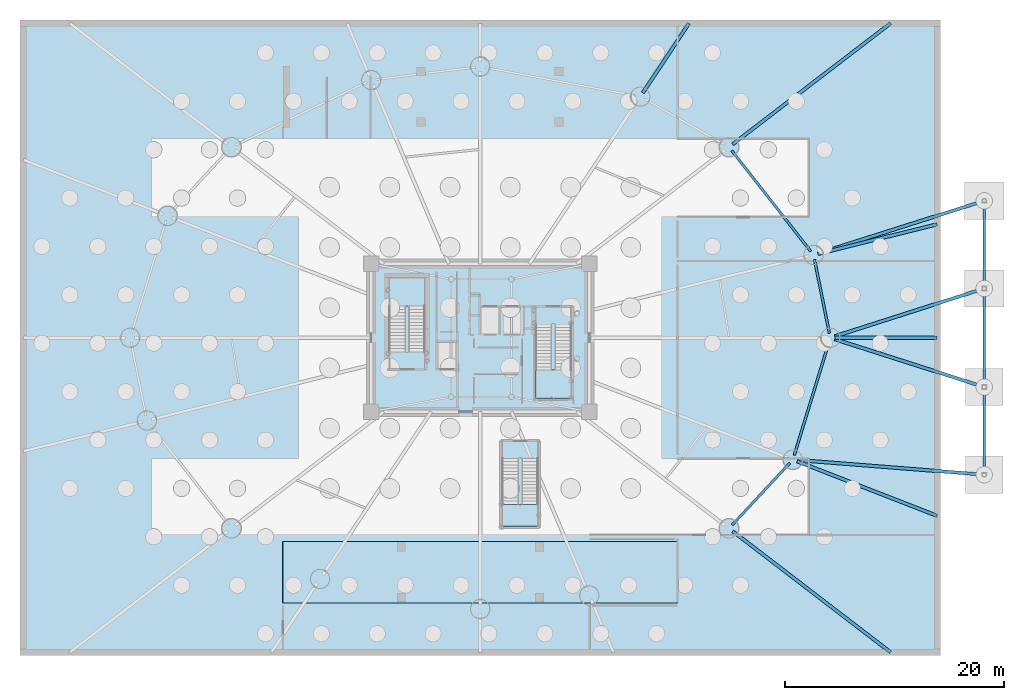
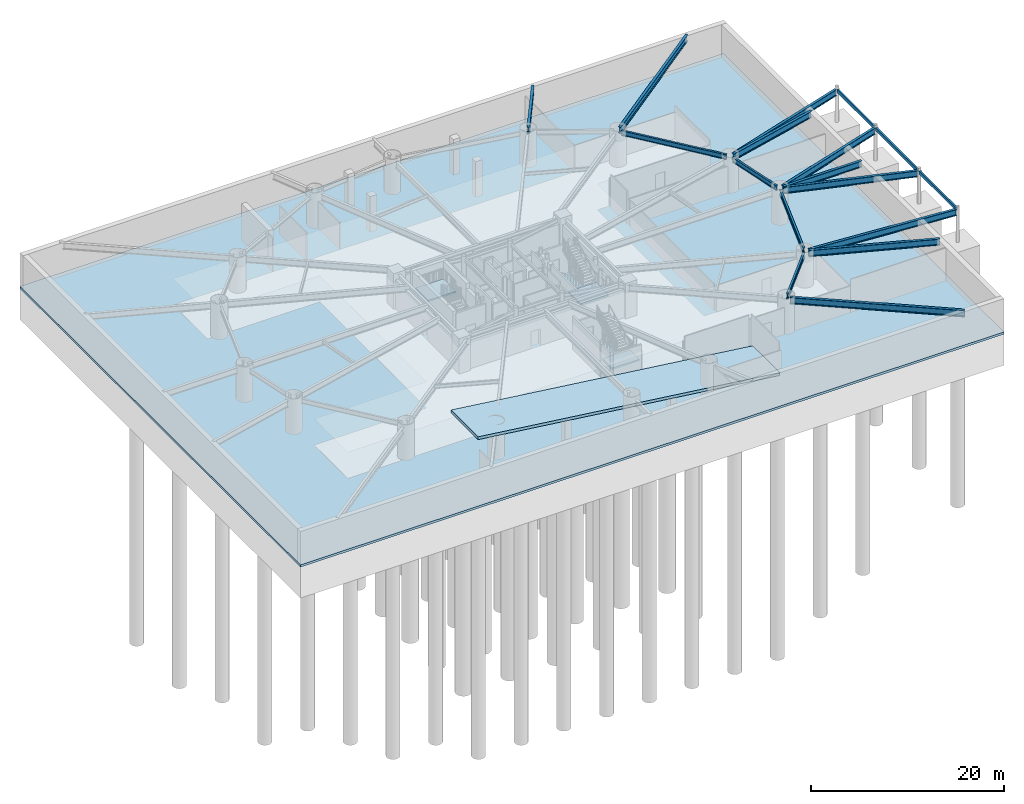
# One storey, part 6 of 18: 17 beams, 5 slabs, 3 elements without a shape of their own.
"""IFC4 building model written with IfcOpenShell, lengths in metres."""

from ifc_helpers import new_model, si_unit, direction, frame, origin, origin_2d, place, context, subcontext, project, spatial, polyline, hollow_rectangle, i_section, outline, extrude, material, layer, layer_set, material_profile, profile_set, type_object, element, aggregate, save


model = new_model("IFC4")

# Units and contexts
model_context = context("Model", 3, precision=1e-05, world=origin(), true_north=direction((0.0, 1.0)))
body_context = subcontext(model_context, "Body", "Model", "MODEL_VIEW")
ifc_project = project(units=[si_unit("LENGTHUNIT", "METRE"), si_unit("AREAUNIT", "SQUARE_METRE"), si_unit("VOLUMEUNIT", "CUBIC_METRE"), si_unit("PLANEANGLEUNIT", "RADIAN"), si_unit("MASSUNIT", "GRAM", prefix="KILO")], contexts=[model_context])

# Site, building, storey
site_placement = place(None, origin())
site = spatial("IfcSite", under=ifc_project, at=site_placement, CompositionType="ELEMENT")
building_placement = place(site_placement, origin())
building = spatial("IfcBuilding", under=site, at=building_placement, Name="Linh Dai School and Residence Tower", CompositionType="ELEMENT")
storey_placement = place(building_placement, frame((0.0, 0.0, -9.0)))
storey = spatial("IfcBuildingStorey", under=building, at=storey_placement, Name="B02", CompositionType="ELEMENT", Elevation=-9.0)

# Beams
ifc_material_1 = material(Name="Structural Steel S355JR", Category="steel")
ifc_material_profile_1 = material_profile(ifc_material_1, hollow_rectangle(XDim=0.199951171875, YDim=0.39990234375, WallThickness=0.012451171875, at=origin_2d()), Name="RHS 400x200x12.5")
ifc_profile_set_1 = profile_set([ifc_material_profile_1], Name="Structural Steel S355JR")
beam_type_1 = type_object("IfcBeamType", Name="BM-BX4", PredefinedType="BEAM", material=ifc_profile_set_1)
beam_1_placement = place(storey_placement, frame((82.0, 14.673095703125, 4.0), z_axis=(0.0, 1.0, 0.0), x_axis=(-1.0, 0.0, 0.0)))
element("IfcBeam", 1, at=beam_1_placement, inside=storey, type_object=beam_type_1, Name="B02 East Arrival Canopy Edge Beam 1", PredefinedType="BEAM", context=body_context, shape_type="SweptSolid", body=[
    extrude(hollow_rectangle(XDim=0.199951171875, YDim=0.39990234375, WallThickness=0.012451171875, at=origin_2d()), origin(), (0.0, 0.0, 1.0), 7.65380859375),
])
beam_2_placement = place(storey_placement, frame((82.0, 22.673095703125, 4.0), z_axis=(0.0, 1.0, 0.0), x_axis=(-1.0, 0.0, 0.0)))
element("IfcBeam", 2, at=beam_2_placement, inside=storey, type_object=beam_type_1, Name="B02 East Arrival Canopy Edge Beam 2", PredefinedType="BEAM", context=body_context, shape_type="SweptSolid", body=[
    extrude(hollow_rectangle(XDim=0.199951171875, YDim=0.39990234375, WallThickness=0.012451171875, at=origin_2d()), origin(), (0.0, 0.0, 1.0), 8.65380859375),
])
beam_3_placement = place(storey_placement, frame((82.0, 31.673095703125, 4.0), z_axis=(0.0, 1.0, 0.0), x_axis=(-1.0, 0.0, 0.0)))
element("IfcBeam", 3, at=beam_3_placement, inside=storey, type_object=beam_type_1, Name="B02 East Arrival Canopy Edge Beam 3", PredefinedType="BEAM", context=body_context, shape_type="SweptSolid", body=[
    extrude(hollow_rectangle(XDim=0.199951171875, YDim=0.39990234375, WallThickness=0.012451171875, at=origin_2d()), origin(), (0.0, 0.0, 1.0), 7.65380859375),
])
ifc_material_profile_2 = material_profile(ifc_material_1, i_section(OverallWidth=0.219970703125, OverallDepth=0.60009765625, WebThickness=0.011962890625, FlangeThickness=0.01904296875, FilletRadius=0.02392578125, at=origin_2d()), Name="IPE 600")
ifc_profile_set_2 = profile_set([ifc_material_profile_2], Name="Structural Steel S355JR")
beam_type_2 = type_object("IfcBeamType", Name="BM-RB60", PredefinedType="BEAM", material=ifc_profile_set_2)
beam_4_placement = place(storey_placement, frame((67.86669921875, 27.41162109375, 3.89990234375), z_axis=(-0.198405440792, 0.980120034008, 0.0), x_axis=(-0.980120034008, -0.198405440792, 0.0)))
element("IfcBeam", 4, at=beam_4_placement, inside=storey, type_object=beam_type_2, Name="B02 Perimeter Elliptical Ring Beam 01", PredefinedType="BEAM", context=body_context, shape_type="SweptSolid", body=[
    extrude(i_section(OverallWidth=0.219970703125, OverallDepth=0.60009765625, WebThickness=0.011962890625, FlangeThickness=0.01904296875, FilletRadius=0.02392578125, at=origin_2d()), origin(), (0.0, 0.0, 1.0), 6.86865234375),
])
beam_5_placement = place(storey_placement, frame((66.161376953125, 34.885986328125, 3.89990234375), z_axis=(-0.616811949607, 0.787110550572, 0.0), x_axis=(-0.787110550572, -0.616811949607, 0.0)))
element("IfcBeam", 5, at=beam_5_placement, inside=storey, type_object=beam_type_2, Name="B02 Perimeter Elliptical Ring Beam 02", PredefinedType="BEAM", context=body_context, shape_type="SweptSolid", body=[
    extrude(i_section(OverallWidth=0.219970703125, OverallDepth=0.60009765625, WebThickness=0.011962890625, FlangeThickness=0.01904296875, FilletRadius=0.02392578125, at=origin_2d()), origin(), (0.0, 0.0, 1.0), 11.668212890625),
])
beam_6_placement = place(storey_placement, frame((58.990966796875, 9.9072265625, 3.89990234375), z_axis=(0.680345653715, 0.73289139132, 0.0), x_axis=(-0.73289139132, 0.680345653715, 0.0)))
element("IfcBeam", 6, at=beam_6_placement, inside=storey, type_object=beam_type_2, Name="B02 Perimeter Elliptical Ring Beam 15", PredefinedType="BEAM", context=body_context, shape_type="SweptSolid", body=[
    extrude(i_section(OverallWidth=0.219970703125, OverallDepth=0.60009765625, WebThickness=0.011962890625, FlangeThickness=0.01904296875, FilletRadius=0.02392578125, at=origin_2d()), origin(), (0.0, 0.0, 1.0), 7.726806640625),
])
beam_7_placement = place(storey_placement, frame((64.656982421875, 16.279541015625, 3.89990234375), z_axis=(0.293626522026, 0.955920219246, 0.0), x_axis=(-0.955920219246, 0.293626522026, 0.0)))
element("IfcBeam", 7, at=beam_7_placement, inside=storey, type_object=beam_type_2, Name="B02 Perimeter Elliptical Ring Beam 16", PredefinedType="BEAM", context=body_context, shape_type="SweptSolid", body=[
    extrude(i_section(OverallWidth=0.219970703125, OverallDepth=0.60009765625, WebThickness=0.011962890625, FlangeThickness=0.01904296875, FilletRadius=0.02392578125, at=origin_2d()), origin(), (0.0, 0.0, 1.0), 10.794921875),
])
ifc_material_profile_3 = material_profile(ifc_material_1, i_section(OverallWidth=0.300048828125, OverallDepth=0.800048828125, WebThickness=0.017578125, FlangeThickness=0.032958984375, FilletRadius=0.030029296875, at=origin_2d()), Name="HEB 800")
ifc_profile_set_3 = profile_set([ifc_material_profile_3], Name="Structural Steel S355JR")
beam_type_3 = type_object("IfcBeamType", Name="BM-RG8", PredefinedType="BEAM", material=ifc_profile_set_3)
beam_8_placement = place(storey_placement, frame((64.952392578125, 15.844970703125, 3.800048828125), z_axis=(0.996902494811, -0.078647414702, 0.0), x_axis=(0.078647414702, 0.996902494811, 0.0)))
element("IfcBeam", 8, at=beam_8_placement, inside=storey, type_object=beam_type_3, Name="B02 East Arrival Tie Girder 1", PredefinedType="BEAM", context=body_context, shape_type="SweptSolid", body=[
    extrude(i_section(OverallWidth=0.300048828125, OverallDepth=0.800048828125, WebThickness=0.017578125, FlangeThickness=0.032958984375, FilletRadius=0.030029296875, at=origin_2d()), origin(), (0.0, 0.0, 1.0), 16.927490234375),
])
for number, where, z_axis, x_axis, name in (
    (9, (68.35009765625, 26.871826171875, 3.800048828125), (0.952343434383, -0.305027839694, 0.0), (0.305027839694, 0.952343434383, 0.0), "B02 East Arrival Tie Girder 2"),
    (10, (68.35009765625, 27.128173828125, 3.800048828125), (0.952343434383, 0.305027839694, 0.0), (-0.305027839694, 0.952343434383, 0.0), "B02 East Arrival Tie Girder 3"),
):
    element("IfcBeam", number, at=place(storey_placement, frame(where, z_axis=z_axis, x_axis=x_axis)), inside=storey, type_object=beam_type_3, Name=name, PredefinedType="BEAM", context=body_context, shape_type="SweptSolid", body=[
        extrude(i_section(OverallWidth=0.300048828125, OverallDepth=0.800048828125, WebThickness=0.017578125, FlangeThickness=0.032958984375, FilletRadius=0.030029296875, at=origin_2d()), origin(), (0.0, 0.0, 1.0), 14.15966796875),
    ])
beam_9_placement = place(storey_placement, frame((66.82080078125, 34.682373046875, 3.800048828125), z_axis=(0.953147393774, 0.30250627389, 0.0), x_axis=(-0.30250627389, 0.953147393774, 0.0)))
element("IfcBeam", 11, at=beam_9_placement, inside=storey, type_object=beam_type_3, Name="B02 East Arrival Tie Girder 4", PredefinedType="BEAM", context=body_context, shape_type="SweptSolid", body=[
    extrude(i_section(OverallWidth=0.300048828125, OverallDepth=0.800048828125, WebThickness=0.017578125, FlangeThickness=0.032958984375, FilletRadius=0.030029296875, at=origin_2d()), origin(), (0.0, 0.0, 1.0), 15.752197265625),
])
beam_10_placement = place(storey_placement, frame((68.3701171875, 27.0, 3.800048828125), z_axis=(1.0, 0.0, 0.0), x_axis=(0.0, 1.0, 0.0)))
element("IfcBeam", 12, at=beam_10_placement, inside=storey, type_object=beam_type_3, Name="B02 Basement Retention Tie Girder 01", PredefinedType="BEAM", context=body_context, shape_type="SweptSolid", body=[
    extrude(i_section(OverallWidth=0.300048828125, OverallDepth=0.800048828125, WebThickness=0.017578125, FlangeThickness=0.032958984375, FilletRadius=0.030029296875, at=origin_2d()), origin(), (0.0, 0.0, 1.0), 9.329833984375),
])
beam_11_placement = place(storey_placement, frame((66.828125, 34.65673828125, 3.800048828125), z_axis=(0.970514416693, 0.241043081193, 0.0), x_axis=(-0.241043081193, 0.970514416693, 0.0)))
element("IfcBeam", 13, at=beam_11_placement, inside=storey, type_object=beam_type_3, Name="B02 Basement Retention Tie Girder 02", PredefinedType="BEAM", context=body_context, shape_type="SweptSolid", body=[
    extrude(i_section(OverallWidth=0.300048828125, OverallDepth=0.800048828125, WebThickness=0.017578125, FlangeThickness=0.032958984375, FilletRadius=0.030029296875, at=origin_2d()), origin(), (0.0, 0.0, 1.0), 11.2021484375),
])
beam_12_placement = place(storey_placement, frame((59.03857421875, 44.656005859375, 3.800048828125), z_axis=(0.793718458888, 0.608285301499, 0.0), x_axis=(-0.608285301499, 0.793718458888, 0.0)))
element("IfcBeam", 14, at=beam_12_placement, inside=storey, type_object=beam_type_3, Name="B02 Basement Retention Tie Girder 03", PredefinedType="BEAM", context=body_context, shape_type="SweptSolid", body=[
    extrude(i_section(OverallWidth=0.300048828125, OverallDepth=0.800048828125, WebThickness=0.017578125, FlangeThickness=0.032958984375, FilletRadius=0.030029296875, at=origin_2d()), origin(), (0.0, 0.0, 1.0), 18.15576171875),
])
beam_13_placement = place(storey_placement, frame((50.841552734375, 49.35498046875, 3.800048828125), z_axis=(0.553101284644, 0.833114019162, 0.0), x_axis=(-0.833114019162, 0.553101284644, 0.0)))
element("IfcBeam", 15, at=beam_13_placement, inside=storey, type_object=beam_type_3, Name="B02 Basement Retention Tie Girder 04", PredefinedType="BEAM", context=body_context, shape_type="SweptSolid", body=[
    extrude(i_section(OverallWidth=0.300048828125, OverallDepth=0.800048828125, WebThickness=0.017578125, FlangeThickness=0.032958984375, FilletRadius=0.030029296875, at=origin_2d()), origin(), (0.0, 0.0, 1.0), 7.615966796875),
])
beam_14_placement = place(storey_placement, frame((59.03857421875, 9.343994140625, 3.800048828125), z_axis=(0.793718458888, -0.608285301499, 0.0), x_axis=(0.608285301499, 0.793718458888, 0.0)))
element("IfcBeam", 16, at=beam_14_placement, inside=storey, type_object=beam_type_3, Name="B02 Basement Retention Tie Girder 15", PredefinedType="BEAM", context=body_context, shape_type="SweptSolid", body=[
    extrude(i_section(OverallWidth=0.300048828125, OverallDepth=0.800048828125, WebThickness=0.017578125, FlangeThickness=0.032958984375, FilletRadius=0.030029296875, at=origin_2d()), origin(), (0.0, 0.0, 1.0), 18.15576171875),
])
beam_15_placement = place(storey_placement, frame((64.925048828125, 15.725341796875, 3.800048828125), z_axis=(0.931721686457, -0.363173097828, 0.0), x_axis=(0.363173097828, 0.931721686457, 0.0)))
element("IfcBeam", 17, at=beam_15_placement, inside=storey, type_object=beam_type_3, Name="B02 Basement Retention Tie Girder 16", PredefinedType="BEAM", context=body_context, shape_type="SweptSolid", body=[
    extrude(i_section(OverallWidth=0.300048828125, OverallDepth=0.800048828125, WebThickness=0.017578125, FlangeThickness=0.032958984375, FilletRadius=0.030029296875, at=origin_2d()), origin(), (0.0, 0.0, 1.0), 13.711181640625),
])

# Slabs
ifc_material_2 = material(Name="Concrete B45 (C35/45)", Category="concrete")
ifc_layer_1 = layer(ifc_material_2, 0.300048828125)
ifc_layer_set_1 = layer_set([ifc_layer_1], Name="Concrete B45 (C35/45)")
slab_type_1 = type_object("IfcSlabType", Name="SLB-BASE300", PredefinedType="BASESLAB", material=ifc_layer_set_1)
slab_1_placement = place(storey_placement, frame((0.0, 0.0, -0.300048828125)))
element("IfcSlab", 18, at=slab_1_placement, inside=storey, type_object=slab_type_1, Name="B02 Basement Structural Floor Slab", PredefinedType="BASESLAB", context=body_context, shape_type="SweptSolid", body=[
    extrude(outline(polyline([(-6.0, -2.0), (78.0, -2.0), (78.0, 56.0), (-6.0, 56.0), (-6.0, -2.0)])), origin(), (0.0, 0.0, 1.0), 0.300048828125),
])
ifc_layer_2 = layer(ifc_material_2, 0.35009765625)
ifc_layer_set_2 = layer_set([ifc_layer_2], Name="Concrete B45 (C35/45)")
slab_type_2 = type_object("IfcSlabType", Name="SLB-RAMP350", PredefinedType="BASESLAB", material=ifc_layer_set_2)
slab_2_placement = place(storey_placement, frame((54.0, 2.800048828125, 0.35009765625), z_axis=(0.124034734589, 0.0, 0.992277876714), x_axis=(-0.992277876714, 0.0, 0.124034734589)))
element("IfcSlab", 19, at=slab_2_placement, inside=storey, type_object=slab_type_2, Name="B02 Structural Vehicle Ramp Slab VR1", PredefinedType="BASESLAB", context=body_context, shape_type="SweptSolid", body=[
    extrude(outline(polyline([(0.0, 0.0), (36.28015986734348, 0.0), (36.28015986734348, -5.599853515625), (0.0, -5.599853515625), (0.0, 0.0)])), origin(), (0.0, 0.0, -1.0), 0.35009765625),
])

# Stair, slab
stair_type = type_object("IfcStairType", Name="ST-DOG-1550-R1500", PredefinedType="HALF_TURN_STAIR", material=ifc_material_2)
stair_1_placement = place(storey_placement, origin())
stair_1 = element("IfcStair", 20, at=stair_1_placement, inside=storey, type_object=stair_type, Name="B02 Core Smokeproof Exit Stair ST1", PredefinedType="HALF_TURN_STAIR")
ifc_layer_3 = layer(ifc_material_2, 0.199951171875)
ifc_layer_set_3 = layer_set([ifc_layer_3], Name="Concrete B45 (C35/45)")
slab_type_3 = type_object("IfcSlabType", Name="SLB-ST-LANDING-200", PredefinedType="LANDING", material=ifc_layer_set_3)
slab_3_placement = place(storey_placement, frame((0.0, 0.0, 2.050048828125)))
slab_3 = element("IfcSlab", 21, at=slab_3_placement, type_object=slab_type_3, Name="ST1 landing 1", PredefinedType="LANDING", context=body_context, shape_type="SweptSolid", body=[
    extrude(outline(polyline([(30.97998046875, 29.89990234375), (30.97998046875, 32.5), (27.679931640625, 32.5), (27.679931640625, 29.89990234375), (30.97998046875, 29.89990234375)])), origin(), (0.0, 0.0, 1.0), 0.199951171875),
])
aggregate(stair_1, [slab_3])

stair_2_placement = place(storey_placement, origin())
stair_2 = element("IfcStair", 22, at=stair_2_placement, inside=storey, type_object=stair_type, Name="B02 Core Smokeproof Exit Stair ST2", PredefinedType="HALF_TURN_STAIR")
slab_4_placement = place(storey_placement, frame((0.0, 0.0, 2.050048828125)))
slab_4 = element("IfcSlab", 23, at=slab_4_placement, type_object=slab_type_3, Name="ST2 landing 1", PredefinedType="LANDING", context=body_context, shape_type="SweptSolid", body=[
    extrude(outline(polyline([(41.02001953125, 24.050048828125), (41.02001953125, 21.449951171875), (44.320068359375, 21.449951171875), (44.320068359375, 24.050048828125), (41.02001953125, 24.050048828125)])), origin(), (0.0, 0.0, 1.0), 0.199951171875),
])
aggregate(stair_2, [slab_4])

stair_3_placement = place(storey_placement, origin())
stair_3 = element("IfcStair", 24, at=stair_3_placement, inside=storey, type_object=stair_type, Name="B02 Basement Exit Stair STB1", PredefinedType="HALF_TURN_STAIR")
slab_5_placement = place(storey_placement, frame((0.0, 0.0, 2.050048828125)))
slab_5 = element("IfcSlab", 25, at=slab_5_placement, type_object=slab_type_3, Name="STB1 landing 1", PredefinedType="LANDING", context=body_context, shape_type="SweptSolid", body=[
    extrude(outline(polyline([(38.0, 11.800048828125), (38.0, 9.800048828125), (41.300048828125, 9.800048828125), (41.300048828125, 11.800048828125), (38.0, 11.800048828125)])), origin(), (0.0, 0.0, 1.0), 0.199951171875),
])
aggregate(stair_3, [slab_5])

save(model, "model.ifc")
